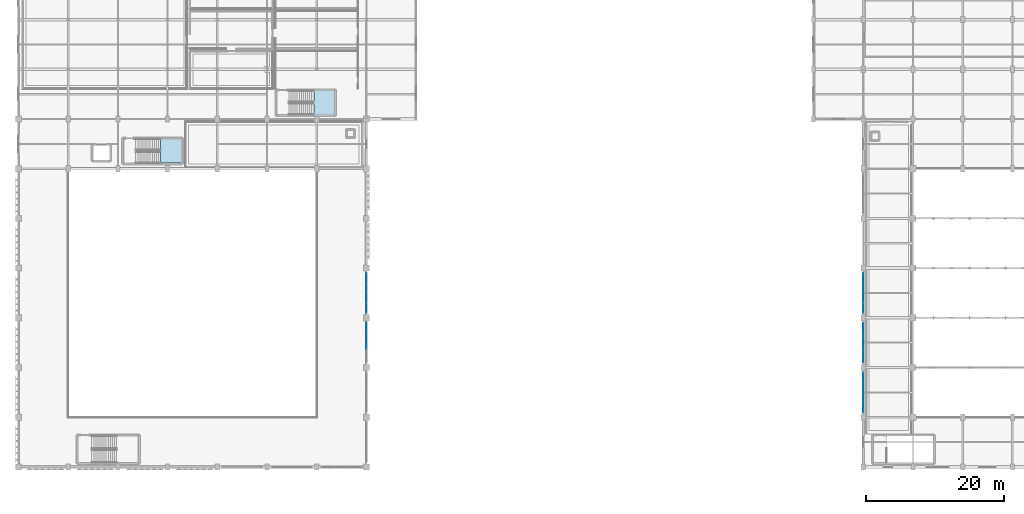
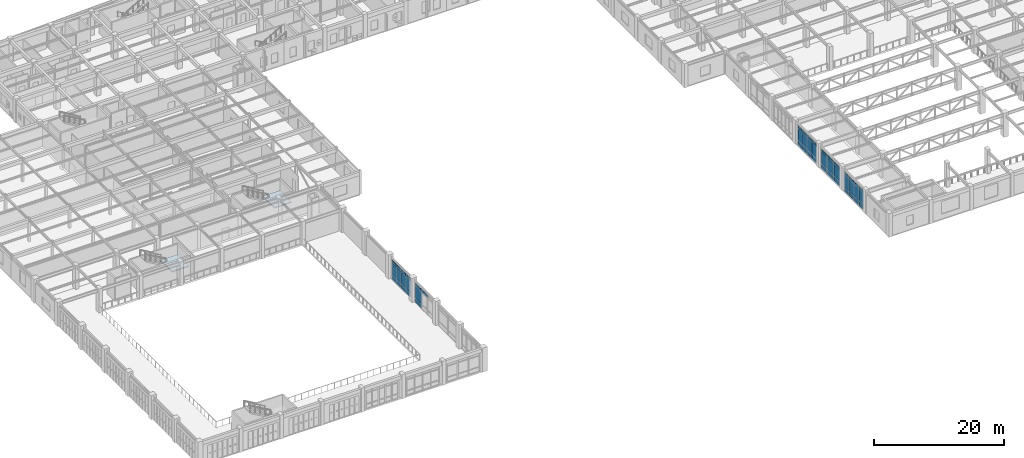
# One storey, part 59 of 106: 49 plates, 2 slabs, 7 elements without a shape of their own.
"""IFC4 building model written with IfcOpenShell, lengths in metres."""

from ifc_helpers import new_model, si_unit, direction, frame, origin, origin_2d, place, context, subcontext, project, spatial, polyline, rectangle, outline, extrude, material, layer, layer_set, type_object, element, aggregate, save


model = new_model("IFC4")

# Units and contexts
model_context = context("Model", 3, precision=1e-05, world=origin(), true_north=direction((0.0, 1.0)))
body_context = subcontext(model_context, "Body", "Model", "MODEL_VIEW")
ifc_project = project(units=[si_unit("LENGTHUNIT", "METRE"), si_unit("AREAUNIT", "SQUARE_METRE"), si_unit("VOLUMEUNIT", "CUBIC_METRE"), si_unit("PLANEANGLEUNIT", "RADIAN"), si_unit("MASSUNIT", "GRAM", prefix="KILO")], contexts=[model_context])

# Site, building, storey
site_placement = place(None, origin())
site = spatial("IfcSite", under=ifc_project, at=site_placement, CompositionType="ELEMENT")
building_placement = place(site_placement, origin())
building = spatial("IfcBuilding", under=site, at=building_placement, Name="Carrowvane Square Congress Hotel", CompositionType="ELEMENT")
storey_placement = place(building_placement, frame((0.0, 0.0, 10.5)))
storey = spatial("IfcBuildingStorey", under=building, at=storey_placement, Name="L02", CompositionType="ELEMENT", Elevation=10.5)

# Curtain wall, plates
ifc_material_1 = material(Name="Anodised aluminium", Category="aluminium")
ifc_layer_1 = layer(ifc_material_1, 0.2099609375)
ifc_layer_set_1 = layer_set([ifc_layer_1], Name="Anodised aluminium")
curtain_wall_type_1 = type_object("IfcCurtainWallType", Name="CW-SYS-5", PredefinedType="NOTDEFINED", material=ifc_layer_set_1)
curtain_wall_1_placement = place(storey_placement, origin())
curtain_wall_1 = element("IfcCurtainWall", 1, at=curtain_wall_1_placement, inside=storey, type_object=curtain_wall_type_1, Name="L02 unitised curtain wall 180", PredefinedType="NOTDEFINED")
ifc_material_2 = material(Name="Double-glazed low-E glass", Category="glass")
ifc_layer_2 = layer(ifc_material_2, 0.028076171875)
ifc_layer_set_2 = layer_set([ifc_layer_2], Name="Double-glazed low-E glass")
plate_type_1 = type_object("IfcPlateType", Name="CW-PAN-1", PredefinedType="CURTAIN_PANEL", material=ifc_layer_set_2)
plate_1_placement = place(storey_placement, frame((134.0, 14.032470703125, 0.06005859375), z_axis=(0.0, 0.0, 1.0), x_axis=(0.0, 1.0, 0.0)))
plate_1 = element("IfcPlate", 2, at=plate_1_placement, type_object=plate_type_1, Name="CW-5 panel 1.1", PredefinedType="CURTAIN_PANEL", context=body_context, shape_type="SweptSolid", body=[
    extrude(rectangle(XDim=1.364990234375, YDim=0.028076171875, at=origin_2d()), origin(), (0.0, 0.0, 1.0), 0.81005859375),
])
plate_2_placement = place(storey_placement, frame((134.0, 14.032470703125, 0.93017578125), z_axis=(0.0, 0.0, 1.0), x_axis=(0.0, 1.0, 0.0)))
plate_2 = element("IfcPlate", 3, at=plate_2_placement, type_object=plate_type_1, Name="CW-5 panel 1.2", PredefinedType="CURTAIN_PANEL", context=body_context, shape_type="SweptSolid", body=[
    extrude(rectangle(XDim=1.364990234375, YDim=0.028076171875, at=origin_2d()), origin(), (0.0, 0.0, 1.0), 2.235107421875),
])
plate_3_placement = place(storey_placement, frame((134.0, 14.032470703125, 3.22509765625), z_axis=(0.0, 0.0, 1.0), x_axis=(0.0, 1.0, 0.0)))
plate_3 = element("IfcPlate", 4, at=plate_3_placement, type_object=plate_type_1, Name="CW-5 panel 1.3", PredefinedType="CURTAIN_PANEL", context=body_context, shape_type="SweptSolid", body=[
    extrude(rectangle(XDim=1.364990234375, YDim=0.028076171875, at=origin_2d()), origin(), (0.0, 0.0, 1.0), 0.4599609375),
])
plate_4_placement = place(storey_placement, frame((134.0, 15.472412109375, 0.06005859375), z_axis=(0.0, 0.0, 1.0), x_axis=(0.0, 1.0, 0.0)))
plate_4 = element("IfcPlate", 5, at=plate_4_placement, type_object=plate_type_1, Name="CW-5 panel 2.1", PredefinedType="CURTAIN_PANEL", context=body_context, shape_type="SweptSolid", body=[
    extrude(rectangle(XDim=1.39501953125, YDim=0.028076171875, at=origin_2d()), origin(), (0.0, 0.0, 1.0), 0.81005859375),
])
plate_5_placement = place(storey_placement, frame((134.0, 15.472412109375, 0.93017578125), z_axis=(0.0, 0.0, 1.0), x_axis=(0.0, 1.0, 0.0)))
plate_5 = element("IfcPlate", 6, at=plate_5_placement, type_object=plate_type_1, Name="CW-5 panel 2.2", PredefinedType="CURTAIN_PANEL", context=body_context, shape_type="SweptSolid", body=[
    extrude(rectangle(XDim=1.39501953125, YDim=0.028076171875, at=origin_2d()), origin(), (0.0, 0.0, 1.0), 2.235107421875),
])
plate_6_placement = place(storey_placement, frame((134.0, 15.472412109375, 3.22509765625), z_axis=(0.0, 0.0, 1.0), x_axis=(0.0, 1.0, 0.0)))
plate_6 = element("IfcPlate", 7, at=plate_6_placement, type_object=plate_type_1, Name="CW-5 panel 2.3", PredefinedType="CURTAIN_PANEL", context=body_context, shape_type="SweptSolid", body=[
    extrude(rectangle(XDim=1.39501953125, YDim=0.028076171875, at=origin_2d()), origin(), (0.0, 0.0, 1.0), 0.4599609375),
])
plate_7_placement = place(storey_placement, frame((134.0, 16.927490234375, 0.06005859375), z_axis=(0.0, 0.0, 1.0), x_axis=(0.0, 1.0, 0.0)))
plate_7 = element("IfcPlate", 8, at=plate_7_placement, type_object=plate_type_1, Name="CW-5 panel 3.1", PredefinedType="CURTAIN_PANEL", context=body_context, shape_type="SweptSolid", body=[
    extrude(rectangle(XDim=1.39501953125, YDim=0.028076171875, at=origin_2d()), origin(), (0.0, 0.0, 1.0), 0.81005859375),
])
plate_8_placement = place(storey_placement, frame((134.0, 16.927490234375, 0.93017578125), z_axis=(0.0, 0.0, 1.0), x_axis=(0.0, 1.0, 0.0)))
plate_8 = element("IfcPlate", 9, at=plate_8_placement, type_object=plate_type_1, Name="CW-5 panel 3.2", PredefinedType="CURTAIN_PANEL", context=body_context, shape_type="SweptSolid", body=[
    extrude(rectangle(XDim=1.39501953125, YDim=0.028076171875, at=origin_2d()), origin(), (0.0, 0.0, 1.0), 2.235107421875),
])
plate_9_placement = place(storey_placement, frame((134.0, 16.927490234375, 3.22509765625), z_axis=(0.0, 0.0, 1.0), x_axis=(0.0, 1.0, 0.0)))
plate_9 = element("IfcPlate", 10, at=plate_9_placement, type_object=plate_type_1, Name="CW-5 panel 3.3", PredefinedType="CURTAIN_PANEL", context=body_context, shape_type="SweptSolid", body=[
    extrude(rectangle(XDim=1.39501953125, YDim=0.028076171875, at=origin_2d()), origin(), (0.0, 0.0, 1.0), 0.4599609375),
])
plate_10_placement = place(storey_placement, frame((134.0, 18.367431640625, 0.06005859375), z_axis=(0.0, 0.0, 1.0), x_axis=(0.0, 1.0, 0.0)))
plate_10 = element("IfcPlate", 11, at=plate_10_placement, type_object=plate_type_1, Name="CW-5 panel 4.1", PredefinedType="CURTAIN_PANEL", context=body_context, shape_type="SweptSolid", body=[
    extrude(rectangle(XDim=1.364990234375, YDim=0.028076171875, at=origin_2d()), origin(), (0.0, 0.0, 1.0), 0.81005859375),
])
plate_11_placement = place(storey_placement, frame((134.0, 18.367431640625, 0.93017578125), z_axis=(0.0, 0.0, 1.0), x_axis=(0.0, 1.0, 0.0)))
plate_11 = element("IfcPlate", 12, at=plate_11_placement, type_object=plate_type_1, Name="CW-5 panel 4.2", PredefinedType="CURTAIN_PANEL", context=body_context, shape_type="SweptSolid", body=[
    extrude(rectangle(XDim=1.364990234375, YDim=0.028076171875, at=origin_2d()), origin(), (0.0, 0.0, 1.0), 2.235107421875),
])
plate_12_placement = place(storey_placement, frame((134.0, 18.367431640625, 3.22509765625), z_axis=(0.0, 0.0, 1.0), x_axis=(0.0, 1.0, 0.0)))
plate_12 = element("IfcPlate", 13, at=plate_12_placement, type_object=plate_type_1, Name="CW-5 panel 4.3", PredefinedType="CURTAIN_PANEL", context=body_context, shape_type="SweptSolid", body=[
    extrude(rectangle(XDim=1.364990234375, YDim=0.028076171875, at=origin_2d()), origin(), (0.0, 0.0, 1.0), 0.4599609375),
])
aggregate(curtain_wall_1, [plate_1, plate_2, plate_3, plate_4, plate_5, plate_6, plate_7, plate_8, plate_9, plate_10, plate_11, plate_12])

ifc_material_3 = material(Name="Anodised aluminium", Category="aluminium")
ifc_layer_3 = layer(ifc_material_3, 0.174072265625)
ifc_layer_set_3 = layer_set([ifc_layer_3], Name="Anodised aluminium")
curtain_wall_type_2 = type_object("IfcCurtainWallType", Name="CW-SYS-2", PredefinedType="NOTDEFINED", material=ifc_layer_set_3)
curtain_wall_2_placement = place(storey_placement, origin())
curtain_wall_2 = element("IfcCurtainWall", 14, at=curtain_wall_2_placement, inside=storey, type_object=curtain_wall_type_2, Name="L02 unitised curtain wall 185", PredefinedType="NOTDEFINED")
plate_13_placement = place(storey_placement, frame((62.0, 32.764892578125, 0.070068359375), z_axis=(0.0, 0.0, 1.0), x_axis=(0.0, -1.0, 0.0)))
plate_13 = element("IfcPlate", 15, at=plate_13_placement, type_object=plate_type_1, Name="CW-2 panel 1.1", PredefinedType="CURTAIN_PANEL", context=body_context, shape_type="SweptSolid", body=[
    extrude(rectangle(XDim=1.35009765625, YDim=0.028076171875, at=origin_2d()), origin(), (0.0, 0.0, 1.0), 0.794921875),
])
plate_14_placement = place(storey_placement, frame((62.0, 32.764892578125, 0.93505859375), z_axis=(0.0, 0.0, 1.0), x_axis=(0.0, -1.0, 0.0)))
plate_14 = element("IfcPlate", 16, at=plate_14_placement, type_object=plate_type_1, Name="CW-2 panel 1.2", PredefinedType="CURTAIN_PANEL", context=body_context, shape_type="SweptSolid", body=[
    extrude(rectangle(XDim=1.35009765625, YDim=0.028076171875, at=origin_2d()), origin(), (0.0, 0.0, 1.0), 2.22509765625),
])
plate_15_placement = place(storey_placement, frame((62.0, 32.764892578125, 3.22998046875), z_axis=(0.0, 0.0, 1.0), x_axis=(0.0, -1.0, 0.0)))
plate_15 = element("IfcPlate", 17, at=plate_15_placement, type_object=plate_type_1, Name="CW-2 panel 1.3", PredefinedType="CURTAIN_PANEL", context=body_context, shape_type="SweptSolid", body=[
    extrude(rectangle(XDim=1.35009765625, YDim=0.028076171875, at=origin_2d()), origin(), (0.0, 0.0, 1.0), 0.445068359375),
])
plate_16_placement = place(storey_placement, frame((62.0, 31.327392578125, 0.070068359375), z_axis=(0.0, 0.0, 1.0), x_axis=(0.0, -1.0, 0.0)))
plate_16 = element("IfcPlate", 18, at=plate_16_placement, type_object=plate_type_1, Name="CW-2 panel 2.1", PredefinedType="CURTAIN_PANEL", context=body_context, shape_type="SweptSolid", body=[
    extrude(rectangle(XDim=1.385009765625, YDim=0.028076171875, at=origin_2d()), origin(), (0.0, 0.0, 1.0), 0.794921875),
])
plate_17_placement = place(storey_placement, frame((62.0, 31.327392578125, 0.93505859375), z_axis=(0.0, 0.0, 1.0), x_axis=(0.0, -1.0, 0.0)))
plate_17 = element("IfcPlate", 19, at=plate_17_placement, type_object=plate_type_1, Name="CW-2 panel 2.2", PredefinedType="CURTAIN_PANEL", context=body_context, shape_type="SweptSolid", body=[
    extrude(rectangle(XDim=1.385009765625, YDim=0.028076171875, at=origin_2d()), origin(), (0.0, 0.0, 1.0), 2.22509765625),
])
plate_18_placement = place(storey_placement, frame((62.0, 31.327392578125, 3.22998046875), z_axis=(0.0, 0.0, 1.0), x_axis=(0.0, -1.0, 0.0)))
plate_18 = element("IfcPlate", 20, at=plate_18_placement, type_object=plate_type_1, Name="CW-2 panel 2.3", PredefinedType="CURTAIN_PANEL", context=body_context, shape_type="SweptSolid", body=[
    extrude(rectangle(XDim=1.385009765625, YDim=0.028076171875, at=origin_2d()), origin(), (0.0, 0.0, 1.0), 0.445068359375),
])
plate_19_placement = place(storey_placement, frame((62.0, 29.87255859375, 0.070068359375), z_axis=(0.0, 0.0, 1.0), x_axis=(0.0, -1.0, 0.0)))
plate_19 = element("IfcPlate", 21, at=plate_19_placement, type_object=plate_type_1, Name="CW-2 panel 3.1", PredefinedType="CURTAIN_PANEL", context=body_context, shape_type="SweptSolid", body=[
    extrude(rectangle(XDim=1.385009765625, YDim=0.028076171875, at=origin_2d()), origin(), (0.0, 0.0, 1.0), 0.794921875),
])
plate_20_placement = place(storey_placement, frame((62.0, 29.87255859375, 0.93505859375), z_axis=(0.0, 0.0, 1.0), x_axis=(0.0, -1.0, 0.0)))
plate_20 = element("IfcPlate", 22, at=plate_20_placement, type_object=plate_type_1, Name="CW-2 panel 3.2", PredefinedType="CURTAIN_PANEL", context=body_context, shape_type="SweptSolid", body=[
    extrude(rectangle(XDim=1.385009765625, YDim=0.028076171875, at=origin_2d()), origin(), (0.0, 0.0, 1.0), 2.22509765625),
])
plate_21_placement = place(storey_placement, frame((62.0, 29.87255859375, 3.22998046875), z_axis=(0.0, 0.0, 1.0), x_axis=(0.0, -1.0, 0.0)))
plate_21 = element("IfcPlate", 23, at=plate_21_placement, type_object=plate_type_1, Name="CW-2 panel 3.3", PredefinedType="CURTAIN_PANEL", context=body_context, shape_type="SweptSolid", body=[
    extrude(rectangle(XDim=1.385009765625, YDim=0.028076171875, at=origin_2d()), origin(), (0.0, 0.0, 1.0), 0.445068359375),
])
plate_22_placement = place(storey_placement, frame((62.0, 28.43505859375, 0.070068359375), z_axis=(0.0, 0.0, 1.0), x_axis=(0.0, -1.0, 0.0)))
plate_22 = element("IfcPlate", 24, at=plate_22_placement, type_object=plate_type_1, Name="CW-2 panel 4.1", PredefinedType="CURTAIN_PANEL", context=body_context, shape_type="SweptSolid", body=[
    extrude(rectangle(XDim=1.35009765625, YDim=0.028076171875, at=origin_2d()), origin(), (0.0, 0.0, 1.0), 0.794921875),
])
plate_23_placement = place(storey_placement, frame((62.0, 28.43505859375, 0.93505859375), z_axis=(0.0, 0.0, 1.0), x_axis=(0.0, -1.0, 0.0)))
plate_23 = element("IfcPlate", 25, at=plate_23_placement, type_object=plate_type_1, Name="CW-2 panel 4.2", PredefinedType="CURTAIN_PANEL", context=body_context, shape_type="SweptSolid", body=[
    extrude(rectangle(XDim=1.35009765625, YDim=0.028076171875, at=origin_2d()), origin(), (0.0, 0.0, 1.0), 2.22509765625),
])
plate_24_placement = place(storey_placement, frame((62.0, 28.43505859375, 3.22998046875), z_axis=(0.0, 0.0, 1.0), x_axis=(0.0, -1.0, 0.0)))
plate_24 = element("IfcPlate", 26, at=plate_24_placement, type_object=plate_type_1, Name="CW-2 panel 4.3", PredefinedType="CURTAIN_PANEL", context=body_context, shape_type="SweptSolid", body=[
    extrude(rectangle(XDim=1.35009765625, YDim=0.028076171875, at=origin_2d()), origin(), (0.0, 0.0, 1.0), 0.445068359375),
])
aggregate(curtain_wall_2, [plate_13, plate_14, plate_15, plate_16, plate_17, plate_18, plate_19, plate_20, plate_21, plate_22, plate_23, plate_24])

ifc_material_4 = material(Name="Anodised aluminium", Category="aluminium")
ifc_layer_4 = layer(ifc_material_4, 0.221923828125)
ifc_layer_set_4 = layer_set([ifc_layer_4], Name="Anodised aluminium")
curtain_wall_type_3 = type_object("IfcCurtainWallType", Name="CW-SYS-6", PredefinedType="NOTDEFINED", material=ifc_layer_set_4)
curtain_wall_3_placement = place(storey_placement, origin())
curtain_wall_3 = element("IfcCurtainWall", 27, at=curtain_wall_3_placement, inside=storey, type_object=curtain_wall_type_3, Name="L02 unitised curtain wall 181", PredefinedType="NOTDEFINED")
ifc_material_5 = material(Name="Double-glazed low-E glass", Category="glass")
ifc_layer_5 = layer(ifc_material_5, 0.031982421875)
ifc_layer_set_5 = layer_set([ifc_layer_5], Name="Double-glazed low-E glass")
plate_type_2 = type_object("IfcPlateType", Name="CW-PAN-2", PredefinedType="CURTAIN_PANEL", material=ifc_layer_set_5)
plate_25_placement = place(storey_placement, frame((134.0, 21.4775390625, 0.070068359375), z_axis=(0.0, 0.0, 1.0), x_axis=(0.0, 1.0, 0.0)))
plate_25 = element("IfcPlate", 28, at=plate_25_placement, type_object=plate_type_2, Name="CW-6 panel 1.1", PredefinedType="CURTAIN_PANEL", context=body_context, shape_type="SweptSolid", body=[
    extrude(rectangle(XDim=1.8349609375, YDim=0.031982421875, at=origin_2d()), origin(), (0.0, 0.0, 1.0), 0.794921875),
])
plate_26_placement = place(storey_placement, frame((134.0, 21.4775390625, 0.93505859375), z_axis=(0.0, 0.0, 1.0), x_axis=(0.0, 1.0, 0.0)))
plate_26 = element("IfcPlate", 29, at=plate_26_placement, type_object=plate_type_2, Name="CW-6 panel 1.2", PredefinedType="CURTAIN_PANEL", context=body_context, shape_type="SweptSolid", body=[
    extrude(rectangle(XDim=1.8349609375, YDim=0.031982421875, at=origin_2d()), origin(), (0.0, 0.0, 1.0), 2.22509765625),
])
plate_27_placement = place(storey_placement, frame((134.0, 21.4775390625, 3.22998046875), z_axis=(0.0, 0.0, 1.0), x_axis=(0.0, 1.0, 0.0)))
plate_27 = element("IfcPlate", 30, at=plate_27_placement, type_object=plate_type_2, Name="CW-6 panel 1.3", PredefinedType="CURTAIN_PANEL", context=body_context, shape_type="SweptSolid", body=[
    extrude(rectangle(XDim=1.8349609375, YDim=0.031982421875, at=origin_2d()), origin(), (0.0, 0.0, 1.0), 0.445068359375),
])
plate_28_placement = place(storey_placement, frame((134.0, 23.39990234375, 0.070068359375), z_axis=(0.0, 0.0, 1.0), x_axis=(0.0, 1.0, 0.0)))
plate_28 = element("IfcPlate", 31, at=plate_28_placement, type_object=plate_type_2, Name="CW-6 panel 2.1", PredefinedType="CURTAIN_PANEL", context=body_context, shape_type="SweptSolid", body=[
    extrude(rectangle(XDim=1.8701171875, YDim=0.031982421875, at=origin_2d()), origin(), (0.0, 0.0, 1.0), 0.794921875),
])
plate_29_placement = place(storey_placement, frame((134.0, 23.39990234375, 0.93505859375), z_axis=(0.0, 0.0, 1.0), x_axis=(0.0, 1.0, 0.0)))
plate_29 = element("IfcPlate", 32, at=plate_29_placement, type_object=plate_type_2, Name="CW-6 panel 2.2", PredefinedType="CURTAIN_PANEL", context=body_context, shape_type="SweptSolid", body=[
    extrude(rectangle(XDim=1.8701171875, YDim=0.031982421875, at=origin_2d()), origin(), (0.0, 0.0, 1.0), 2.22509765625),
])
plate_30_placement = place(storey_placement, frame((134.0, 23.39990234375, 3.22998046875), z_axis=(0.0, 0.0, 1.0), x_axis=(0.0, 1.0, 0.0)))
plate_30 = element("IfcPlate", 33, at=plate_30_placement, type_object=plate_type_2, Name="CW-6 panel 2.3", PredefinedType="CURTAIN_PANEL", context=body_context, shape_type="SweptSolid", body=[
    extrude(rectangle(XDim=1.8701171875, YDim=0.031982421875, at=origin_2d()), origin(), (0.0, 0.0, 1.0), 0.445068359375),
])
plate_31_placement = place(storey_placement, frame((134.0, 25.322509765625, 0.070068359375), z_axis=(0.0, 0.0, 1.0), x_axis=(0.0, 1.0, 0.0)))
plate_31 = element("IfcPlate", 34, at=plate_31_placement, type_object=plate_type_2, Name="CW-6 panel 3.1", PredefinedType="CURTAIN_PANEL", context=body_context, shape_type="SweptSolid", body=[
    extrude(rectangle(XDim=1.8349609375, YDim=0.031982421875, at=origin_2d()), origin(), (0.0, 0.0, 1.0), 0.794921875),
])
plate_32_placement = place(storey_placement, frame((134.0, 25.322509765625, 0.93505859375), z_axis=(0.0, 0.0, 1.0), x_axis=(0.0, 1.0, 0.0)))
plate_32 = element("IfcPlate", 35, at=plate_32_placement, type_object=plate_type_2, Name="CW-6 panel 3.2", PredefinedType="CURTAIN_PANEL", context=body_context, shape_type="SweptSolid", body=[
    extrude(rectangle(XDim=1.8349609375, YDim=0.031982421875, at=origin_2d()), origin(), (0.0, 0.0, 1.0), 2.22509765625),
])
plate_33_placement = place(storey_placement, frame((134.0, 25.322509765625, 3.22998046875), z_axis=(0.0, 0.0, 1.0), x_axis=(0.0, 1.0, 0.0)))
plate_33 = element("IfcPlate", 36, at=plate_33_placement, type_object=plate_type_2, Name="CW-6 panel 3.3", PredefinedType="CURTAIN_PANEL", context=body_context, shape_type="SweptSolid", body=[
    extrude(rectangle(XDim=1.8349609375, YDim=0.031982421875, at=origin_2d()), origin(), (0.0, 0.0, 1.0), 0.445068359375),
])
aggregate(curtain_wall_3, [plate_25, plate_26, plate_27, plate_28, plate_29, plate_30, plate_31, plate_32, plate_33])

ifc_material_6 = material(Name="Anodised aluminium", Category="aluminium")
ifc_layer_6 = layer(ifc_material_6, 0.18603515625)
ifc_layer_set_6 = layer_set([ifc_layer_6], Name="Anodised aluminium")
curtain_wall_type_4 = type_object("IfcCurtainWallType", Name="CW-SYS-3", PredefinedType="NOTDEFINED", material=ifc_layer_set_6)
curtain_wall_4_placement = place(storey_placement, origin())
curtain_wall_4 = element("IfcCurtainWall", 37, at=curtain_wall_4_placement, inside=storey, type_object=curtain_wall_type_4, Name="L02 unitised curtain wall 186", PredefinedType="NOTDEFINED")
plate_34_placement = place(storey_placement, frame((62.0, 25.324951171875, 0.06005859375), z_axis=(0.0, 0.0, 1.0), x_axis=(0.0, -1.0, 0.0)))
plate_34 = element("IfcPlate", 38, at=plate_34_placement, type_object=plate_type_2, Name="CW-3 panel 1.1", PredefinedType="CURTAIN_PANEL", context=body_context, shape_type="SweptSolid", body=[
    extrude(rectangle(XDim=1.85009765625, YDim=0.031982421875, at=origin_2d()), origin(), (0.0, 0.0, 1.0), 0.81005859375),
])
plate_35_placement = place(storey_placement, frame((62.0, 25.324951171875, 0.93017578125), z_axis=(0.0, 0.0, 1.0), x_axis=(0.0, -1.0, 0.0)))
plate_35 = element("IfcPlate", 39, at=plate_35_placement, type_object=plate_type_2, Name="CW-3 panel 1.2", PredefinedType="CURTAIN_PANEL", context=body_context, shape_type="SweptSolid", body=[
    extrude(rectangle(XDim=1.85009765625, YDim=0.031982421875, at=origin_2d()), origin(), (0.0, 0.0, 1.0), 2.235107421875),
])
plate_36_placement = place(storey_placement, frame((62.0, 25.324951171875, 3.22509765625), z_axis=(0.0, 0.0, 1.0), x_axis=(0.0, -1.0, 0.0)))
plate_36 = element("IfcPlate", 40, at=plate_36_placement, type_object=plate_type_2, Name="CW-3 panel 1.3", PredefinedType="CURTAIN_PANEL", context=body_context, shape_type="SweptSolid", body=[
    extrude(rectangle(XDim=1.85009765625, YDim=0.031982421875, at=origin_2d()), origin(), (0.0, 0.0, 1.0), 0.4599609375),
])
plate_37_placement = place(storey_placement, frame((62.0, 23.39990234375, 3.22509765625), z_axis=(0.0, 0.0, 1.0), x_axis=(0.0, -1.0, 0.0)))
plate_37 = element("IfcPlate", 41, at=plate_37_placement, type_object=plate_type_2, Name="CW-3 panel 2.3", PredefinedType="CURTAIN_PANEL", context=body_context, shape_type="SweptSolid", body=[
    extrude(rectangle(XDim=1.8798828125, YDim=0.031982421875, at=origin_2d()), origin(), (0.0, 0.0, 1.0), 0.4599609375),
])
aggregate(curtain_wall_4, [plate_34, plate_35, plate_36, plate_37])

ifc_material_7 = material(Name="Anodised aluminium", Category="aluminium")
ifc_layer_7 = layer(ifc_material_7, 0.23388671875)
ifc_layer_set_7 = layer_set([ifc_layer_7], Name="Anodised aluminium")
curtain_wall_type_5 = type_object("IfcCurtainWallType", Name="CW-SYS-7", PredefinedType="NOTDEFINED", material=ifc_layer_set_7)
curtain_wall_5_placement = place(storey_placement, origin())
curtain_wall_5 = element("IfcCurtainWall", 42, at=curtain_wall_5_placement, inside=storey, type_object=curtain_wall_type_5, Name="L02 unitised curtain wall 182", PredefinedType="NOTDEFINED")
ifc_material_8 = material(Name="Double-glazed low-E glass", Category="glass")
ifc_layer_8 = layer(ifc_material_8, 0.035888671875)
ifc_layer_set_8 = layer_set([ifc_layer_8], Name="Double-glazed low-E glass")
plate_type_3 = type_object("IfcPlateType", Name="CW-PAN-3", PredefinedType="CURTAIN_PANEL", material=ifc_layer_set_8)
plate_38_placement = place(storey_placement, frame((134.0, 28.4326171875, 0.06005859375), z_axis=(0.0, 0.0, 1.0), x_axis=(0.0, 1.0, 0.0)))
plate_38 = element("IfcPlate", 43, at=plate_38_placement, type_object=plate_type_3, Name="CW-7 panel 1.1", PredefinedType="CURTAIN_PANEL", context=body_context, shape_type="SweptSolid", body=[
    extrude(rectangle(XDim=1.364990234375, YDim=0.035888671875, at=origin_2d()), origin(), (0.0, 0.0, 1.0), 0.81005859375),
])
plate_39_placement = place(storey_placement, frame((134.0, 28.4326171875, 0.93017578125), z_axis=(0.0, 0.0, 1.0), x_axis=(0.0, 1.0, 0.0)))
plate_39 = element("IfcPlate", 44, at=plate_39_placement, type_object=plate_type_3, Name="CW-7 panel 1.2", PredefinedType="CURTAIN_PANEL", context=body_context, shape_type="SweptSolid", body=[
    extrude(rectangle(XDim=1.364990234375, YDim=0.035888671875, at=origin_2d()), origin(), (0.0, 0.0, 1.0), 2.235107421875),
])
plate_40_placement = place(storey_placement, frame((134.0, 28.4326171875, 3.22509765625), z_axis=(0.0, 0.0, 1.0), x_axis=(0.0, 1.0, 0.0)))
plate_40 = element("IfcPlate", 45, at=plate_40_placement, type_object=plate_type_3, Name="CW-7 panel 1.3", PredefinedType="CURTAIN_PANEL", context=body_context, shape_type="SweptSolid", body=[
    extrude(rectangle(XDim=1.364990234375, YDim=0.035888671875, at=origin_2d()), origin(), (0.0, 0.0, 1.0), 0.4599609375),
])
plate_41_placement = place(storey_placement, frame((134.0, 29.87255859375, 0.06005859375), z_axis=(0.0, 0.0, 1.0), x_axis=(0.0, 1.0, 0.0)))
plate_41 = element("IfcPlate", 46, at=plate_41_placement, type_object=plate_type_3, Name="CW-7 panel 2.1", PredefinedType="CURTAIN_PANEL", context=body_context, shape_type="SweptSolid", body=[
    extrude(rectangle(XDim=1.39501953125, YDim=0.035888671875, at=origin_2d()), origin(), (0.0, 0.0, 1.0), 0.81005859375),
])
plate_42_placement = place(storey_placement, frame((134.0, 29.87255859375, 0.93017578125), z_axis=(0.0, 0.0, 1.0), x_axis=(0.0, 1.0, 0.0)))
plate_42 = element("IfcPlate", 47, at=plate_42_placement, type_object=plate_type_3, Name="CW-7 panel 2.2", PredefinedType="CURTAIN_PANEL", context=body_context, shape_type="SweptSolid", body=[
    extrude(rectangle(XDim=1.39501953125, YDim=0.035888671875, at=origin_2d()), origin(), (0.0, 0.0, 1.0), 2.235107421875),
])
plate_43_placement = place(storey_placement, frame((134.0, 29.87255859375, 3.22509765625), z_axis=(0.0, 0.0, 1.0), x_axis=(0.0, 1.0, 0.0)))
plate_43 = element("IfcPlate", 48, at=plate_43_placement, type_object=plate_type_3, Name="CW-7 panel 2.3", PredefinedType="CURTAIN_PANEL", context=body_context, shape_type="SweptSolid", body=[
    extrude(rectangle(XDim=1.39501953125, YDim=0.035888671875, at=origin_2d()), origin(), (0.0, 0.0, 1.0), 0.4599609375),
])
plate_44_placement = place(storey_placement, frame((134.0, 31.327392578125, 0.06005859375), z_axis=(0.0, 0.0, 1.0), x_axis=(0.0, 1.0, 0.0)))
plate_44 = element("IfcPlate", 49, at=plate_44_placement, type_object=plate_type_3, Name="CW-7 panel 3.1", PredefinedType="CURTAIN_PANEL", context=body_context, shape_type="SweptSolid", body=[
    extrude(rectangle(XDim=1.39501953125, YDim=0.035888671875, at=origin_2d()), origin(), (0.0, 0.0, 1.0), 0.81005859375),
])
plate_45_placement = place(storey_placement, frame((134.0, 31.327392578125, 0.93017578125), z_axis=(0.0, 0.0, 1.0), x_axis=(0.0, 1.0, 0.0)))
plate_45 = element("IfcPlate", 50, at=plate_45_placement, type_object=plate_type_3, Name="CW-7 panel 3.2", PredefinedType="CURTAIN_PANEL", context=body_context, shape_type="SweptSolid", body=[
    extrude(rectangle(XDim=1.39501953125, YDim=0.035888671875, at=origin_2d()), origin(), (0.0, 0.0, 1.0), 2.235107421875),
])
plate_46_placement = place(storey_placement, frame((134.0, 31.327392578125, 3.22509765625), z_axis=(0.0, 0.0, 1.0), x_axis=(0.0, 1.0, 0.0)))
plate_46 = element("IfcPlate", 51, at=plate_46_placement, type_object=plate_type_3, Name="CW-7 panel 3.3", PredefinedType="CURTAIN_PANEL", context=body_context, shape_type="SweptSolid", body=[
    extrude(rectangle(XDim=1.39501953125, YDim=0.035888671875, at=origin_2d()), origin(), (0.0, 0.0, 1.0), 0.4599609375),
])
plate_47_placement = place(storey_placement, frame((134.0, 32.767578125, 0.06005859375), z_axis=(0.0, 0.0, 1.0), x_axis=(0.0, 1.0, 0.0)))
plate_47 = element("IfcPlate", 52, at=plate_47_placement, type_object=plate_type_3, Name="CW-7 panel 4.1", PredefinedType="CURTAIN_PANEL", context=body_context, shape_type="SweptSolid", body=[
    extrude(rectangle(XDim=1.364990234375, YDim=0.035888671875, at=origin_2d()), origin(), (0.0, 0.0, 1.0), 0.81005859375),
])
plate_48_placement = place(storey_placement, frame((134.0, 32.767578125, 0.93017578125), z_axis=(0.0, 0.0, 1.0), x_axis=(0.0, 1.0, 0.0)))
plate_48 = element("IfcPlate", 53, at=plate_48_placement, type_object=plate_type_3, Name="CW-7 panel 4.2", PredefinedType="CURTAIN_PANEL", context=body_context, shape_type="SweptSolid", body=[
    extrude(rectangle(XDim=1.364990234375, YDim=0.035888671875, at=origin_2d()), origin(), (0.0, 0.0, 1.0), 2.235107421875),
])
plate_49_placement = place(storey_placement, frame((134.0, 32.767578125, 3.22509765625), z_axis=(0.0, 0.0, 1.0), x_axis=(0.0, 1.0, 0.0)))
plate_49 = element("IfcPlate", 54, at=plate_49_placement, type_object=plate_type_3, Name="CW-7 panel 4.3", PredefinedType="CURTAIN_PANEL", context=body_context, shape_type="SweptSolid", body=[
    extrude(rectangle(XDim=1.364990234375, YDim=0.035888671875, at=origin_2d()), origin(), (0.0, 0.0, 1.0), 0.4599609375),
])
aggregate(curtain_wall_5, [plate_38, plate_39, plate_40, plate_41, plate_42, plate_43, plate_44, plate_45, plate_46, plate_47, plate_48, plate_49])

# Stair, slab
ifc_material_9 = material(Name="Concrete C35/45", Category="concrete")
stair_type = type_object("IfcStairType", Name="STR-DOG-11", PredefinedType="HALF_TURN_STAIR", material=ifc_material_9)
stair_1_placement = place(storey_placement, origin())
stair_1 = element("IfcStair", 55, at=stair_1_placement, inside=storey, type_object=stair_type, Name="L02 Plenary North-West Escape Stair", PredefinedType="HALF_TURN_STAIR")
ifc_material_10 = material(Name="Concrete C35/45", Category="concrete")
ifc_layer_9 = layer(ifc_material_10, 0.199951171875)
ifc_layer_set_9 = layer_set([ifc_layer_9], Name="Concrete C35/45")
slab_type = type_object("IfcSlabType", Name="SLB-LND-200", PredefinedType="LANDING", material=ifc_layer_set_9)
slab_1_placement = place(storey_placement, frame((0.0, 0.0, 2.050048828125)))
slab_1 = element("IfcSlab", 56, at=slab_1_placement, type_object=slab_type, Name="ST6 landing 1", PredefinedType="LANDING", context=body_context, shape_type="SweptSolid", body=[
    extrude(outline(polyline([(32.179931640625, 49.39990234375), (35.199951171875, 49.39990234375), (35.199951171875, 52.919921875), (32.179931640625, 52.919921875), (32.179931640625, 49.39990234375)])), origin(), (0.0, 0.0, 1.0), 0.199951171875),
])
aggregate(stair_1, [slab_1])

stair_2_placement = place(storey_placement, origin())
stair_2 = element("IfcStair", 57, at=stair_2_placement, inside=storey, type_object=stair_type, Name="L02 Spa Courtyard Escape Stair", PredefinedType="HALF_TURN_STAIR")
slab_2_placement = place(storey_placement, frame((0.0, 0.0, 2.050048828125)))
slab_2 = element("IfcSlab", 58, at=slab_2_placement, type_object=slab_type, Name="ST7 landing 1", PredefinedType="LANDING", context=body_context, shape_type="SweptSolid", body=[
    extrude(outline(polyline([(54.3798828125, 56.39990234375), (57.39990234375, 56.39990234375), (57.39990234375, 59.919921875), (54.3798828125, 59.919921875), (54.3798828125, 56.39990234375)])), origin(), (0.0, 0.0, 1.0), 0.199951171875),
])
aggregate(stair_2, [slab_2])

save(model, "model.ifc")
